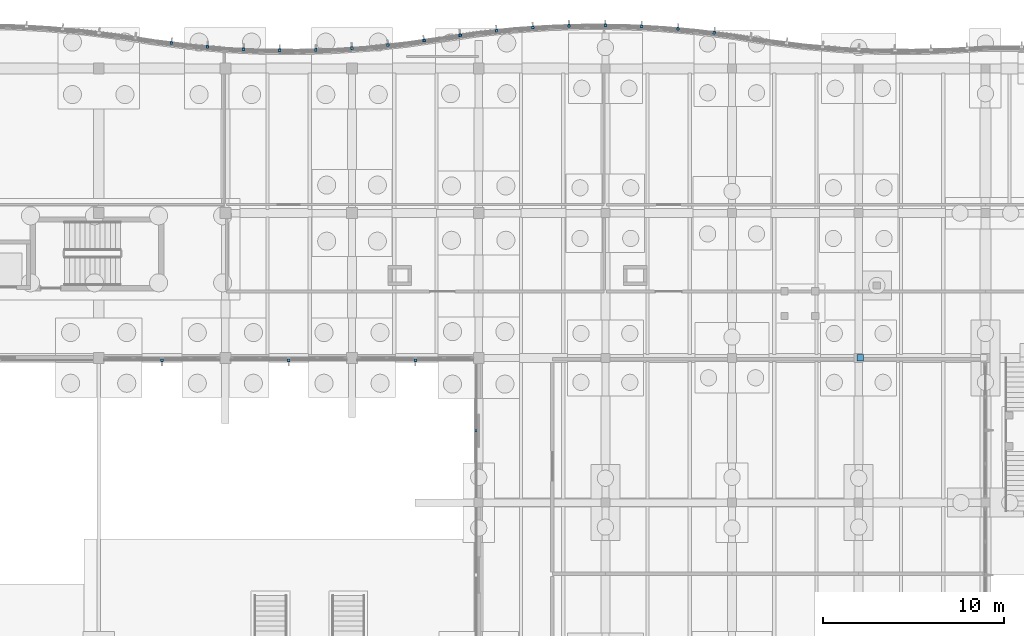
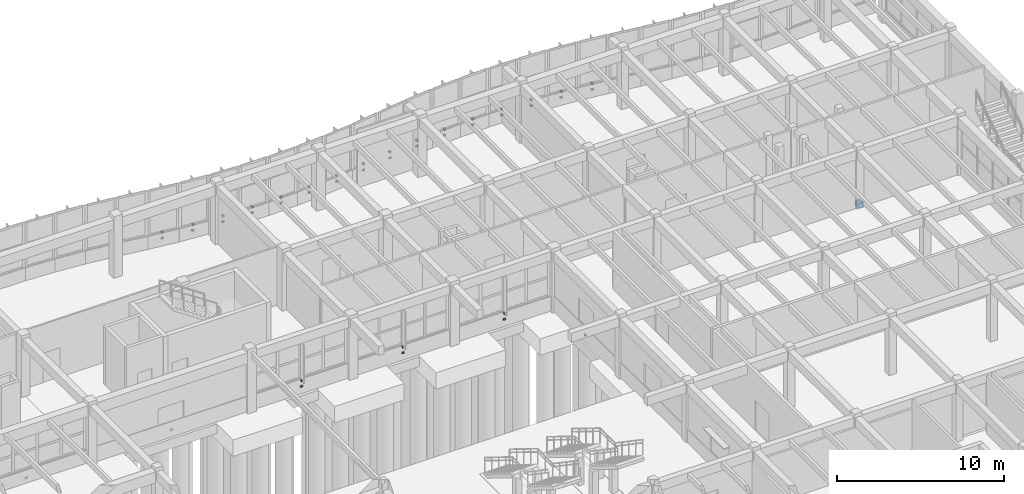
# One storey, part 84 of 99: 40 discrete accessories.
"""IFC4 building model written with IfcOpenShell, lengths in metres."""

from ifc_helpers import new_model, si_unit, direction, frame, origin, origin_2d, place, context, subcontext, project, spatial, rectangle, extrude, material, type_object, element, save


model = new_model("IFC4")

# Units and contexts
model_context = context("Model", 3, precision=1e-05, world=origin(), true_north=direction((0.0, 1.0)))
body_context = subcontext(model_context, "Body", "Model", "MODEL_VIEW")
ifc_project = project(units=[si_unit("LENGTHUNIT", "METRE"), si_unit("AREAUNIT", "SQUARE_METRE"), si_unit("VOLUMEUNIT", "CUBIC_METRE"), si_unit("PLANEANGLEUNIT", "RADIAN"), si_unit("MASSUNIT", "GRAM", prefix="KILO")], contexts=[model_context])

# Site, building, storey
site_placement = place(None, origin())
site = spatial("IfcSite", under=ifc_project, at=site_placement, CompositionType="ELEMENT")
building_placement = place(site_placement, origin())
building = spatial("IfcBuilding", under=site, at=building_placement, Name="Tonlespit Floodbar School", CompositionType="ELEMENT")
storey_placement = place(building_placement, origin())
storey = spatial("IfcBuildingStorey", under=building, at=storey_placement, Name="L00", CompositionType="ELEMENT", Elevation=0.0)

# Discrete accessories
ifc_material_1 = material(Name="Galvanised Steel", Category="steel")
discrete_accessory_type_1 = type_object("IfcDiscreteAccessoryType", Name="Bracket_Facade_S355", PredefinedType="BRACKET", material=ifc_material_1)
discrete_accessory_1_placement = place(storey_placement, frame((131.016357421875, 121.397216796875, 0.35498046875), z_axis=(0.0, 0.0, 1.0), x_axis=(0.99215533612, -0.125011155539, 0.0)))
element("IfcDiscreteAccessory", 1, at=discrete_accessory_1_placement, inside=storey, type_object=discrete_accessory_type_1, Name="L00 white band support bracket 0596", PredefinedType="BRACKET", context=body_context, shape_type="SweptSolid", body=[
    extrude(rectangle(XDim=0.159912109375, YDim=0.1201171875, at=origin_2d()), origin(), (0.0, 0.0, 1.0), 0.1201171875),
])
discrete_accessory_2_placement = place(storey_placement, frame((131.017578125, 121.4072265625, 0.7802734375), z_axis=(0.0, 0.0, 1.0), x_axis=(0.99215533612, -0.125011155539, 0.0)))
element("IfcDiscreteAccessory", 2, at=discrete_accessory_2_placement, inside=storey, type_object=discrete_accessory_type_1, Name="Solar fin support bracket 199", PredefinedType="BRACKET", context=body_context, shape_type="SweptSolid", body=[
    extrude(rectangle(XDim=0.1201171875, YDim=0.179931640625, at=origin_2d()), origin(), (0.0, 0.0, 1.0), 0.139892578125),
])
discrete_accessory_3_placement = place(storey_placement, frame((133.01123046875, 121.184814453125, 0.35498046875), z_axis=(0.0, 0.0, 1.0), x_axis=(0.996245486492, -0.086573267488, 0.0)))
element("IfcDiscreteAccessory", 3, at=discrete_accessory_3_placement, inside=storey, type_object=discrete_accessory_type_1, Name="L00 white band support bracket 0597", PredefinedType="BRACKET", context=body_context, shape_type="SweptSolid", body=[
    extrude(rectangle(XDim=0.159912109375, YDim=0.1201171875, at=origin_2d()), origin(), (0.0, 0.0, 1.0), 0.1201171875),
])
discrete_accessory_4_placement = place(storey_placement, frame((133.01220703125, 121.19482421875, 0.7802734375), z_axis=(0.0, 0.0, 1.0), x_axis=(0.996245486492, -0.086573267488, 0.0)))
element("IfcDiscreteAccessory", 4, at=discrete_accessory_4_placement, inside=storey, type_object=discrete_accessory_type_1, Name="Solar fin support bracket 200", PredefinedType="BRACKET", context=body_context, shape_type="SweptSolid", body=[
    extrude(rectangle(XDim=0.1201171875, YDim=0.179931640625, at=origin_2d()), origin(), (0.0, 0.0, 1.0), 0.139892578125),
])
discrete_accessory_5_placement = place(storey_placement, frame((135.00634765625, 121.05029296875, 0.35498046875), z_axis=(0.0, 0.0, 1.0), x_axis=(0.998842769234, -0.048094930587, 0.0)))
element("IfcDiscreteAccessory", 5, at=discrete_accessory_5_placement, inside=storey, type_object=discrete_accessory_type_1, Name="L00 white band support bracket 0598", PredefinedType="BRACKET", context=body_context, shape_type="SweptSolid", body=[
    extrude(rectangle(XDim=0.159912109375, YDim=0.1201171875, at=origin_2d()), origin(), (0.0, 0.0, 1.0), 0.1201171875),
])
discrete_accessory_6_placement = place(storey_placement, frame((135.006591796875, 121.060302734375, 0.7802734375), z_axis=(0.0, 0.0, 1.0), x_axis=(0.998842769234, -0.048094930587, 0.0)))
element("IfcDiscreteAccessory", 6, at=discrete_accessory_6_placement, inside=storey, type_object=discrete_accessory_type_1, Name="Solar fin support bracket 201", PredefinedType="BRACKET", context=body_context, shape_type="SweptSolid", body=[
    extrude(rectangle(XDim=0.1201171875, YDim=0.179931640625, at=origin_2d()), origin(), (0.0, 0.0, 1.0), 0.139892578125),
])
discrete_accessory_7_placement = place(storey_placement, frame((137.001220703125, 120.99267578125, 0.35498046875), z_axis=(0.0, 0.0, 1.0), x_axis=(0.999953926969, -0.009599163462, 0.0)))
element("IfcDiscreteAccessory", 7, at=discrete_accessory_7_placement, inside=storey, type_object=discrete_accessory_type_1, Name="L00 white band support bracket 0599", PredefinedType="BRACKET", context=body_context, shape_type="SweptSolid", body=[
    extrude(rectangle(XDim=0.159912109375, YDim=0.1201171875, at=origin_2d()), origin(), (0.0, 0.0, 1.0), 0.1201171875),
])
discrete_accessory_8_placement = place(storey_placement, frame((137.001220703125, 121.002685546875, 0.7802734375), z_axis=(0.0, 0.0, 1.0), x_axis=(0.999953926969, -0.009599163462, 0.0)))
element("IfcDiscreteAccessory", 8, at=discrete_accessory_8_placement, inside=storey, type_object=discrete_accessory_type_1, Name="Solar fin support bracket 202", PredefinedType="BRACKET", context=body_context, shape_type="SweptSolid", body=[
    extrude(rectangle(XDim=0.1201171875, YDim=0.179931640625, at=origin_2d()), origin(), (0.0, 0.0, 1.0), 0.139892578125),
])
discrete_accessory_9_placement = place(storey_placement, frame((138.996337890625, 121.01171875, 0.35498046875), z_axis=(0.0, 0.0, 1.0), x_axis=(0.999584110869, 0.02883756748, 0.0)))
element("IfcDiscreteAccessory", 9, at=discrete_accessory_9_placement, inside=storey, type_object=discrete_accessory_type_1, Name="L00 white band support bracket 0600", PredefinedType="BRACKET", context=body_context, shape_type="SweptSolid", body=[
    extrude(rectangle(XDim=0.159912109375, YDim=0.1201171875, at=origin_2d()), origin(), (0.0, 0.0, 1.0), 0.1201171875),
])
discrete_accessory_10_placement = place(storey_placement, frame((138.99609375, 121.021728515625, 0.7802734375), z_axis=(0.0, 0.0, 1.0), x_axis=(0.999584110869, 0.02883756748, 0.0)))
element("IfcDiscreteAccessory", 10, at=discrete_accessory_10_placement, inside=storey, type_object=discrete_accessory_type_1, Name="Solar fin support bracket 203", PredefinedType="BRACKET", context=body_context, shape_type="SweptSolid", body=[
    extrude(rectangle(XDim=0.1201171875, YDim=0.179931640625, at=origin_2d()), origin(), (0.0, 0.0, 1.0), 0.139892578125),
])
discrete_accessory_11_placement = place(storey_placement, frame((140.9912109375, 121.10791015625, 0.35498046875), z_axis=(0.0, 0.0, 1.0), x_axis=(0.997729639049, 0.067346621018, 0.0)))
element("IfcDiscreteAccessory", 11, at=discrete_accessory_11_placement, inside=storey, type_object=discrete_accessory_type_1, Name="L00 white band support bracket 0601", PredefinedType="BRACKET", context=body_context, shape_type="SweptSolid", body=[
    extrude(rectangle(XDim=0.159912109375, YDim=0.1201171875, at=origin_2d()), origin(), (0.0, 0.0, 1.0), 0.1201171875),
])
discrete_accessory_12_placement = place(storey_placement, frame((140.990478515625, 121.117919921875, 0.7802734375), z_axis=(0.0, 0.0, 1.0), x_axis=(0.997729639049, 0.067346621018, 0.0)))
element("IfcDiscreteAccessory", 12, at=discrete_accessory_12_placement, inside=storey, type_object=discrete_accessory_type_1, Name="Solar fin support bracket 204", PredefinedType="BRACKET", context=body_context, shape_type="SweptSolid", body=[
    extrude(rectangle(XDim=0.1201171875, YDim=0.179931640625, at=origin_2d()), origin(), (0.0, 0.0, 1.0), 0.139892578125),
])
discrete_accessory_13_placement = place(storey_placement, frame((142.986328125, 121.28125, 0.35498046875), z_axis=(0.0, 0.0, 1.0), x_axis=(0.99439234017, 0.105753835922, 0.0)))
element("IfcDiscreteAccessory", 13, at=discrete_accessory_13_placement, inside=storey, type_object=discrete_accessory_type_1, Name="L00 white band support bracket 0602", PredefinedType="BRACKET", context=body_context, shape_type="SweptSolid", body=[
    extrude(rectangle(XDim=0.159912109375, YDim=0.1201171875, at=origin_2d()), origin(), (0.0, 0.0, 1.0), 0.1201171875),
])
discrete_accessory_14_placement = place(storey_placement, frame((142.985107421875, 121.291259765625, 0.7802734375), z_axis=(0.0, 0.0, 1.0), x_axis=(0.99439234017, 0.105753835922, 0.0)))
element("IfcDiscreteAccessory", 14, at=discrete_accessory_14_placement, inside=storey, type_object=discrete_accessory_type_1, Name="Solar fin support bracket 205", PredefinedType="BRACKET", context=body_context, shape_type="SweptSolid", body=[
    extrude(rectangle(XDim=0.1201171875, YDim=0.179931640625, at=origin_2d()), origin(), (0.0, 0.0, 1.0), 0.139892578125),
])
discrete_accessory_15_placement = place(storey_placement, frame((144.981201171875, 121.53271484375, 0.35498046875), z_axis=(0.0, 0.0, 1.0), x_axis=(0.989537627347, 0.144275029245, 0.0)))
element("IfcDiscreteAccessory", 15, at=discrete_accessory_15_placement, inside=storey, type_object=discrete_accessory_type_1, Name="L00 white band support bracket 0603", PredefinedType="BRACKET", context=body_context, shape_type="SweptSolid", body=[
    extrude(rectangle(XDim=0.159912109375, YDim=0.1201171875, at=origin_2d()), origin(), (0.0, 0.0, 1.0), 0.1201171875),
])
discrete_accessory_16_placement = place(storey_placement, frame((144.979736328125, 121.542724609375, 0.7802734375), z_axis=(0.0, 0.0, 1.0), x_axis=(0.989537627347, 0.144275029245, 0.0)))
element("IfcDiscreteAccessory", 16, at=discrete_accessory_16_placement, inside=storey, type_object=discrete_accessory_type_1, Name="Solar fin support bracket 206", PredefinedType="BRACKET", context=body_context, shape_type="SweptSolid", body=[
    extrude(rectangle(XDim=0.1201171875, YDim=0.179931640625, at=origin_2d()), origin(), (0.0, 0.0, 1.0), 0.139892578125),
])
discrete_accessory_17_placement = place(storey_placement, frame((146.981201171875, 121.824462890625, 0.35498046875), z_axis=(0.0, 0.0, 1.0), x_axis=(0.989537627347, 0.144275029245, 0.0)))
element("IfcDiscreteAccessory", 17, at=discrete_accessory_17_placement, inside=storey, type_object=discrete_accessory_type_1, Name="L00 white band support bracket 0604", PredefinedType="BRACKET", context=body_context, shape_type="SweptSolid", body=[
    extrude(rectangle(XDim=0.159912109375, YDim=0.1201171875, at=origin_2d()), origin(), (0.0, 0.0, 1.0), 0.1201171875),
])
discrete_accessory_18_placement = place(storey_placement, frame((146.979736328125, 121.834228515625, 0.7802734375), z_axis=(0.0, 0.0, 1.0), x_axis=(0.989537627347, 0.144275029245, 0.0)))
element("IfcDiscreteAccessory", 18, at=discrete_accessory_18_placement, inside=storey, type_object=discrete_accessory_type_1, Name="Solar fin support bracket 207", PredefinedType="BRACKET", context=body_context, shape_type="SweptSolid", body=[
    extrude(rectangle(XDim=0.1201171875, YDim=0.179931640625, at=origin_2d()), origin(), (0.0, 0.0, 1.0), 0.139892578125),
])
discrete_accessory_19_placement = place(storey_placement, frame((148.986328125, 122.0771484375, 0.35498046875), z_axis=(0.0, 0.0, 1.0), x_axis=(0.99439234017, 0.105753835922, 0.0)))
element("IfcDiscreteAccessory", 19, at=discrete_accessory_19_placement, inside=storey, type_object=discrete_accessory_type_1, Name="L00 white band support bracket 0605", PredefinedType="BRACKET", context=body_context, shape_type="SweptSolid", body=[
    extrude(rectangle(XDim=0.159912109375, YDim=0.1201171875, at=origin_2d()), origin(), (0.0, 0.0, 1.0), 0.1201171875),
])
discrete_accessory_20_placement = place(storey_placement, frame((148.985107421875, 122.087158203125, 0.7802734375), z_axis=(0.0, 0.0, 1.0), x_axis=(0.99439234017, 0.105753835922, 0.0)))
element("IfcDiscreteAccessory", 20, at=discrete_accessory_20_placement, inside=storey, type_object=discrete_accessory_type_1, Name="Solar fin support bracket 208", PredefinedType="BRACKET", context=body_context, shape_type="SweptSolid", body=[
    extrude(rectangle(XDim=0.1201171875, YDim=0.179931640625, at=origin_2d()), origin(), (0.0, 0.0, 1.0), 0.139892578125),
])
discrete_accessory_21_placement = place(storey_placement, frame((150.9912109375, 122.25146484375, 0.35498046875), z_axis=(0.0, 0.0, 1.0), x_axis=(0.997729639049, 0.067346621018, 0.0)))
element("IfcDiscreteAccessory", 21, at=discrete_accessory_21_placement, inside=storey, type_object=discrete_accessory_type_1, Name="L00 white band support bracket 0606", PredefinedType="BRACKET", context=body_context, shape_type="SweptSolid", body=[
    extrude(rectangle(XDim=0.159912109375, YDim=0.1201171875, at=origin_2d()), origin(), (0.0, 0.0, 1.0), 0.1201171875),
])
discrete_accessory_22_placement = place(storey_placement, frame((150.990478515625, 122.261474609375, 0.7802734375), z_axis=(0.0, 0.0, 1.0), x_axis=(0.997729639049, 0.067346621018, 0.0)))
element("IfcDiscreteAccessory", 22, at=discrete_accessory_22_placement, inside=storey, type_object=discrete_accessory_type_1, Name="Solar fin support bracket 209", PredefinedType="BRACKET", context=body_context, shape_type="SweptSolid", body=[
    extrude(rectangle(XDim=0.1201171875, YDim=0.179931640625, at=origin_2d()), origin(), (0.0, 0.0, 1.0), 0.139892578125),
])
discrete_accessory_23_placement = place(storey_placement, frame((152.996337890625, 122.34814453125, 0.35498046875), z_axis=(0.0, 0.0, 1.0), x_axis=(0.999584110869, 0.02883756748, 0.0)))
element("IfcDiscreteAccessory", 23, at=discrete_accessory_23_placement, inside=storey, type_object=discrete_accessory_type_1, Name="L00 white band support bracket 0607", PredefinedType="BRACKET", context=body_context, shape_type="SweptSolid", body=[
    extrude(rectangle(XDim=0.159912109375, YDim=0.1201171875, at=origin_2d()), origin(), (0.0, 0.0, 1.0), 0.1201171875),
])
discrete_accessory_24_placement = place(storey_placement, frame((152.99609375, 122.358154296875, 0.7802734375), z_axis=(0.0, 0.0, 1.0), x_axis=(0.999584110869, 0.02883756748, 0.0)))
element("IfcDiscreteAccessory", 24, at=discrete_accessory_24_placement, inside=storey, type_object=discrete_accessory_type_1, Name="Solar fin support bracket 210", PredefinedType="BRACKET", context=body_context, shape_type="SweptSolid", body=[
    extrude(rectangle(XDim=0.1201171875, YDim=0.179931640625, at=origin_2d()), origin(), (0.0, 0.0, 1.0), 0.139892578125),
])
discrete_accessory_25_placement = place(storey_placement, frame((155.001220703125, 122.367431640625, 0.35498046875), z_axis=(0.0, 0.0, 1.0), x_axis=(0.999953926969, -0.009599163462, 0.0)))
element("IfcDiscreteAccessory", 25, at=discrete_accessory_25_placement, inside=storey, type_object=discrete_accessory_type_1, Name="L00 white band support bracket 0608", PredefinedType="BRACKET", context=body_context, shape_type="SweptSolid", body=[
    extrude(rectangle(XDim=0.159912109375, YDim=0.1201171875, at=origin_2d()), origin(), (0.0, 0.0, 1.0), 0.1201171875),
])
discrete_accessory_26_placement = place(storey_placement, frame((155.001220703125, 122.37744140625, 0.7802734375), z_axis=(0.0, 0.0, 1.0), x_axis=(0.999953926969, -0.009599163462, 0.0)))
element("IfcDiscreteAccessory", 26, at=discrete_accessory_26_placement, inside=storey, type_object=discrete_accessory_type_1, Name="Solar fin support bracket 211", PredefinedType="BRACKET", context=body_context, shape_type="SweptSolid", body=[
    extrude(rectangle(XDim=0.1201171875, YDim=0.179931640625, at=origin_2d()), origin(), (0.0, 0.0, 1.0), 0.139892578125),
])
discrete_accessory_27_placement = place(storey_placement, frame((157.00634765625, 122.3095703125, 0.35498046875), z_axis=(0.0, 0.0, 1.0), x_axis=(0.998842769234, -0.048094930587, 0.0)))
element("IfcDiscreteAccessory", 27, at=discrete_accessory_27_placement, inside=storey, type_object=discrete_accessory_type_1, Name="L00 white band support bracket 0609", PredefinedType="BRACKET", context=body_context, shape_type="SweptSolid", body=[
    extrude(rectangle(XDim=0.159912109375, YDim=0.1201171875, at=origin_2d()), origin(), (0.0, 0.0, 1.0), 0.1201171875),
])
discrete_accessory_28_placement = place(storey_placement, frame((157.006591796875, 122.319580078125, 0.7802734375), z_axis=(0.0, 0.0, 1.0), x_axis=(0.998842769234, -0.048094930587, 0.0)))
element("IfcDiscreteAccessory", 28, at=discrete_accessory_28_placement, inside=storey, type_object=discrete_accessory_type_1, Name="Solar fin support bracket 212", PredefinedType="BRACKET", context=body_context, shape_type="SweptSolid", body=[
    extrude(rectangle(XDim=0.1201171875, YDim=0.179931640625, at=origin_2d()), origin(), (0.0, 0.0, 1.0), 0.139892578125),
])
discrete_accessory_29_placement = place(storey_placement, frame((159.01123046875, 122.174072265625, 0.35498046875), z_axis=(0.0, 0.0, 1.0), x_axis=(0.996245486492, -0.086573267488, 0.0)))
element("IfcDiscreteAccessory", 29, at=discrete_accessory_29_placement, inside=storey, type_object=discrete_accessory_type_1, Name="L00 white band support bracket 0610", PredefinedType="BRACKET", context=body_context, shape_type="SweptSolid", body=[
    extrude(rectangle(XDim=0.159912109375, YDim=0.1201171875, at=origin_2d()), origin(), (0.0, 0.0, 1.0), 0.1201171875),
])
discrete_accessory_30_placement = place(storey_placement, frame((159.01220703125, 122.18408203125, 0.7802734375), z_axis=(0.0, 0.0, 1.0), x_axis=(0.996245486492, -0.086573267488, 0.0)))
element("IfcDiscreteAccessory", 30, at=discrete_accessory_30_placement, inside=storey, type_object=discrete_accessory_type_1, Name="Solar fin support bracket 213", PredefinedType="BRACKET", context=body_context, shape_type="SweptSolid", body=[
    extrude(rectangle(XDim=0.1201171875, YDim=0.179931640625, at=origin_2d()), origin(), (0.0, 0.0, 1.0), 0.139892578125),
])
discrete_accessory_31_placement = place(storey_placement, frame((161.016357421875, 121.960693359375, 0.35498046875), z_axis=(0.0, 0.0, 1.0), x_axis=(0.99215533612, -0.125011155539, 0.0)))
element("IfcDiscreteAccessory", 31, at=discrete_accessory_31_placement, inside=storey, type_object=discrete_accessory_type_1, Name="L00 white band support bracket 0611", PredefinedType="BRACKET", context=body_context, shape_type="SweptSolid", body=[
    extrude(rectangle(XDim=0.159912109375, YDim=0.1201171875, at=origin_2d()), origin(), (0.0, 0.0, 1.0), 0.1201171875),
])
discrete_accessory_32_placement = place(storey_placement, frame((161.017578125, 121.970703125, 0.7802734375), z_axis=(0.0, 0.0, 1.0), x_axis=(0.99215533612, -0.125011155539, 0.0)))
element("IfcDiscreteAccessory", 32, at=discrete_accessory_32_placement, inside=storey, type_object=discrete_accessory_type_1, Name="Solar fin support bracket 214", PredefinedType="BRACKET", context=body_context, shape_type="SweptSolid", body=[
    extrude(rectangle(XDim=0.1201171875, YDim=0.179931640625, at=origin_2d()), origin(), (0.0, 0.0, 1.0), 0.139892578125),
])
discrete_accessory_33_placement = place(storey_placement, frame((144.5, 103.8701171875, 0.35498046875), z_axis=(0.0, 0.0, 1.0), x_axis=(-1.0, 0.0, 0.0)))
element("IfcDiscreteAccessory", 33, at=discrete_accessory_33_placement, inside=storey, type_object=discrete_accessory_type_1, Name="L00 white band support bracket 0620", PredefinedType="BRACKET", context=body_context, shape_type="SweptSolid", body=[
    extrude(rectangle(XDim=0.159912109375, YDim=0.1201171875, at=origin_2d()), origin(), (0.0, 0.0, 1.0), 0.1201171875),
])
discrete_accessory_34_placement = place(storey_placement, frame((144.5, 103.860107421875, 0.7802734375), z_axis=(0.0, 0.0, 1.0), x_axis=(-1.0, 0.0, 0.0)))
element("IfcDiscreteAccessory", 34, at=discrete_accessory_34_placement, inside=storey, type_object=discrete_accessory_type_1, Name="Solar fin support bracket 223", PredefinedType="BRACKET", context=body_context, shape_type="SweptSolid", body=[
    extrude(rectangle(XDim=0.1201171875, YDim=0.179931640625, at=origin_2d()), origin(), (0.0, 0.0, 1.0), 0.139892578125),
])
discrete_accessory_35_placement = place(storey_placement, frame((137.5, 103.8701171875, 0.35498046875), z_axis=(0.0, 0.0, 1.0), x_axis=(-1.0, 0.0, 0.0)))
element("IfcDiscreteAccessory", 35, at=discrete_accessory_35_placement, inside=storey, type_object=discrete_accessory_type_1, Name="L00 white band support bracket 0621", PredefinedType="BRACKET", context=body_context, shape_type="SweptSolid", body=[
    extrude(rectangle(XDim=0.159912109375, YDim=0.1201171875, at=origin_2d()), origin(), (0.0, 0.0, 1.0), 0.1201171875),
])
discrete_accessory_36_placement = place(storey_placement, frame((137.5, 103.860107421875, 0.7802734375), z_axis=(0.0, 0.0, 1.0), x_axis=(-1.0, 0.0, 0.0)))
element("IfcDiscreteAccessory", 36, at=discrete_accessory_36_placement, inside=storey, type_object=discrete_accessory_type_1, Name="Solar fin support bracket 224", PredefinedType="BRACKET", context=body_context, shape_type="SweptSolid", body=[
    extrude(rectangle(XDim=0.1201171875, YDim=0.179931640625, at=origin_2d()), origin(), (0.0, 0.0, 1.0), 0.139892578125),
])
discrete_accessory_37_placement = place(storey_placement, frame((130.5, 103.8701171875, 0.35498046875), z_axis=(0.0, 0.0, 1.0), x_axis=(-1.0, 0.0, 0.0)))
element("IfcDiscreteAccessory", 37, at=discrete_accessory_37_placement, inside=storey, type_object=discrete_accessory_type_1, Name="L00 white band support bracket 0622", PredefinedType="BRACKET", context=body_context, shape_type="SweptSolid", body=[
    extrude(rectangle(XDim=0.159912109375, YDim=0.1201171875, at=origin_2d()), origin(), (0.0, 0.0, 1.0), 0.1201171875),
])
discrete_accessory_38_placement = place(storey_placement, frame((130.5, 103.860107421875, 0.7802734375), z_axis=(0.0, 0.0, 1.0), x_axis=(-1.0, 0.0, 0.0)))
element("IfcDiscreteAccessory", 38, at=discrete_accessory_38_placement, inside=storey, type_object=discrete_accessory_type_1, Name="Solar fin support bracket 225", PredefinedType="BRACKET", context=body_context, shape_type="SweptSolid", body=[
    extrude(rectangle(XDim=0.1201171875, YDim=0.179931640625, at=origin_2d()), origin(), (0.0, 0.0, 1.0), 0.139892578125),
])
discrete_accessory_39_placement = place(storey_placement, frame((147.85009765625, 99.97509765625, 0.3798828125), z_axis=(0.0, 0.0, 1.0), x_axis=(0.0, 1.0, 0.0)))
element("IfcDiscreteAccessory", 39, at=discrete_accessory_39_placement, inside=storey, type_object=discrete_accessory_type_1, Name="L00 white band support bracket 0624", PredefinedType="BRACKET", context=body_context, shape_type="SweptSolid", body=[
    extrude(rectangle(XDim=0.159912109375, YDim=0.1201171875, at=origin_2d()), origin(), (0.0, 0.0, 1.0), 0.1201171875),
])
ifc_material_2 = material(Name="Steel S355", Category="steel")
discrete_accessory_type_2 = type_object("IfcDiscreteAccessoryType", Name="GussetShoe_Brace_S355", PredefinedType="SHOE", material=ifc_material_2)
discrete_accessory_40_placement = place(storey_placement, frame((169.080078125, 104.0, -0.0302734375), z_axis=(0.0, 0.0, 1.0), x_axis=(1.0, 0.0, 0.0)))
element("IfcDiscreteAccessory", 40, at=discrete_accessory_40_placement, inside=storey, type_object=discrete_accessory_type_2, Name="L00 brace and chord end gusset shoe 0039", PredefinedType="SHOE", context=body_context, shape_type="SweptSolid", body=[
    extrude(rectangle(XDim=0.360107421875, YDim=0.360107421875, at=origin_2d()), origin(), (0.0, 0.0, 1.0), 0.360107421875),
])

save(model, "model.ifc")
